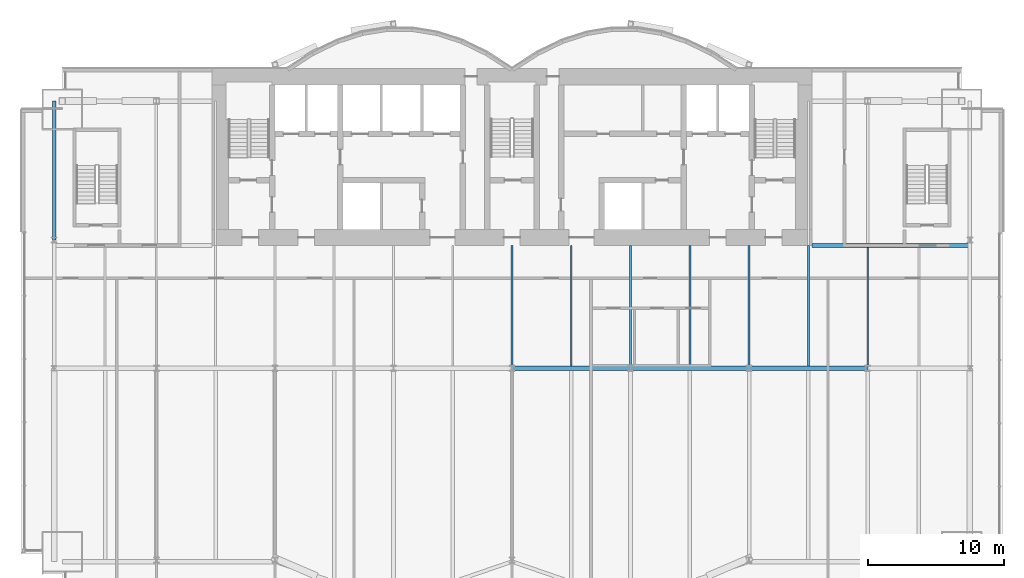
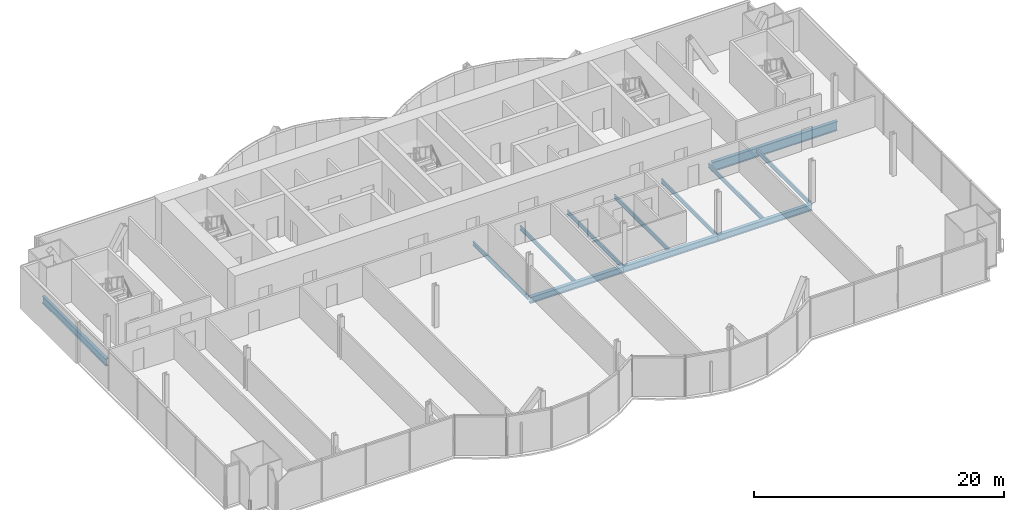
# One storey, part 9 of 21: 12 beams.
"""IFC4 building model written with IfcOpenShell, lengths in metres."""

from ifc_helpers import new_model, si_unit, direction, frame, origin, origin_2d, place, context, subcontext, project, spatial, i_section, extrude, material, material_profile, profile_set, type_object, element, save


model = new_model("IFC4")

# Units and contexts
model_context = context("Model", 3, precision=1e-05, world=origin(), true_north=direction((0.0, 1.0)))
body_context = subcontext(model_context, "Body", "Model", "MODEL_VIEW")
ifc_project = project(units=[si_unit("LENGTHUNIT", "METRE"), si_unit("AREAUNIT", "SQUARE_METRE"), si_unit("VOLUMEUNIT", "CUBIC_METRE"), si_unit("PLANEANGLEUNIT", "RADIAN"), si_unit("MASSUNIT", "GRAM", prefix="KILO")], contexts=[model_context])

# Site, building, storey
site_placement = place(None, origin())
site = spatial("IfcSite", under=ifc_project, at=site_placement, CompositionType="ELEMENT")
building_placement = place(site_placement, origin())
building = spatial("IfcBuilding", under=site, at=building_placement, Name="Bicima Exchange Tower", CompositionType="ELEMENT")
storey_placement = place(building_placement, frame((0.0, 0.0, 98.10009765625)))
storey = spatial("IfcBuildingStorey", under=building, at=storey_placement, Name="L20", CompositionType="ELEMENT", Elevation=98.10009765625)

# Beams
ifc_material = material(Name="Steel ASTM A992 Gr 50", Category="steel")
ifc_material_profile_1 = material_profile(ifc_material, i_section(OverallWidth=0.3046875, OverallDepth=0.911865234375, WebThickness=0.015869140625, FlangeThickness=0.02392578125, at=origin_2d()))
ifc_profile_set_1 = profile_set([ifc_material_profile_1], Name="Steel ASTM A992 Gr 50")
beam_type_1 = type_object("IfcBeamType", Name="Core-line girder W36x150", PredefinedType="BEAM", material=ifc_profile_set_1)
beam_1_placement = place(storey_placement, frame((22.0, -13.0, -0.60595703125), z_axis=(1.0, 0.0, 0.0), x_axis=(0.0, 1.0, 0.0)))
element("IfcBeam", 1, at=beam_1_placement, inside=storey, type_object=beam_type_1, Name="Core-line girder", PredefinedType="BEAM", context=body_context, shape_type="SweptSolid", body=[
    extrude(i_section(OverallWidth=0.3046875, OverallDepth=0.911865234375, WebThickness=0.015869140625, FlangeThickness=0.02392578125, at=origin_2d()), origin(), (0.0, 0.0, 1.0), 11.60009765625),
])
ifc_material_profile_2 = material_profile(ifc_material, i_section(OverallWidth=0.256591796875, OverallDepth=0.693359375, WebThickness=0.014404296875, FlangeThickness=0.023681640625, at=origin_2d()))
ifc_profile_set_2 = profile_set([ifc_material_profile_2], Name="Steel ASTM A992 Gr 50")
beam_type_2 = type_object("IfcBeamType", Name="End girder W27x114", PredefinedType="BEAM", material=ifc_profile_set_2)
beam_2_placement = place(storey_placement, frame((-33.60009765625, -2.39990234375, -0.496826171875), z_axis=(0.0, -1.0, 0.0), x_axis=(1.0, 0.0, 0.0)))
element("IfcBeam", 2, at=beam_2_placement, inside=storey, type_object=beam_type_2, Name="End girder", PredefinedType="BEAM", context=body_context, shape_type="SweptSolid", body=[
    extrude(i_section(OverallWidth=0.256591796875, OverallDepth=0.693359375, WebThickness=0.014404296875, FlangeThickness=0.023681640625, at=origin_2d()), origin(), (0.0, 0.0, 1.0), 10.2001953125),
])
ifc_material_profile_3 = material_profile(ifc_material, i_section(OverallWidth=0.140380859375, OverallDepth=0.40380859375, WebThickness=0.007080078125, FlangeThickness=0.01123046875, at=origin_2d()))
ifc_profile_set_3 = profile_set([ifc_material_profile_3], Name="Steel ASTM A992 Gr 50")
beam_type_3 = type_object("IfcBeamType", Name="Floor beam W16x31", PredefinedType="JOIST", material=ifc_profile_set_3)
for number, where, z_axis, x_axis, name in (
    (3, (0.0, -13.0, -0.35205078125), (0.0, -1.0, 0.0), (1.0, 0.0, 0.0), "Floor beam"),
    (4, (4.35009765625, -13.0, -0.35205078125), (0.0, -1.0, 0.0), (1.0, 0.0, 0.0), "Floor beam"),
    (5, (8.699951171875, -13.0, -0.35205078125), (0.0, -1.0, 0.0), (1.0, 0.0, 0.0), "Floor beam"),
    (6, (13.050048828125, -13.0, -0.35205078125), (0.0, -1.0, 0.0), (1.0, 0.0, 0.0), "Floor beam"),
    (7, (17.39990234375, -13.0, -0.35205078125), (0.0, -1.0, 0.0), (1.0, 0.0, 0.0), "Floor beam"),
    (8, (21.75, -13.0, -0.35205078125), (0.0, -1.0, 0.0), (1.0, 0.0, 0.0), "Floor beam"),
):
    element("IfcBeam", number, at=place(storey_placement, frame(where, z_axis=z_axis, x_axis=x_axis)), inside=storey, type_object=beam_type_3, Name=name, PredefinedType="JOIST", context=body_context, shape_type="SweptSolid", body=[
        extrude(i_section(OverallWidth=0.140380859375, OverallDepth=0.40380859375, WebThickness=0.007080078125, FlangeThickness=0.01123046875, at=origin_2d()), origin(), (0.0, 0.0, 1.0), 8.83740234375),
    ])
beam_3_placement = place(storey_placement, frame((26.10009765625, -13.15234375, -0.35205078125), z_axis=(0.0, -1.0, 0.0), x_axis=(1.0, 0.0, 0.0)))
element("IfcBeam", 9, at=beam_3_placement, inside=storey, type_object=beam_type_3, Name="Floor beam", PredefinedType="JOIST", context=body_context, shape_type="SweptSolid", body=[
    extrude(i_section(OverallWidth=0.140380859375, OverallDepth=0.40380859375, WebThickness=0.007080078125, FlangeThickness=0.01123046875, at=origin_2d()), origin(), (0.0, 0.0, 1.0), 8.68505859375),
])
ifc_material_profile_4 = material_profile(ifc_material, i_section(OverallWidth=0.3251953125, OverallDepth=0.612060546875, WebThickness=0.0126953125, FlangeThickness=0.01904296875, at=origin_2d()))
ifc_profile_set_4 = profile_set([ifc_material_profile_4], Name="Steel ASTM A992 Gr 50")
beam_type_4 = type_object("IfcBeamType", Name="Row girder W24x104", PredefinedType="BEAM", material=ifc_profile_set_4)
for number, where, z_axis, x_axis, name in (
    (10, (0.0, -22.0, -0.456298828125), (1.0, 0.0, 0.0), (0.0, 1.0, 0.0), "Row girder"),
    (11, (8.699951171875, -22.0, -0.456298828125), (1.0, 0.0, 0.0), (0.0, 1.0, 0.0), "Row girder"),
):
    element("IfcBeam", number, at=place(storey_placement, frame(where, z_axis=z_axis, x_axis=x_axis)), inside=storey, type_object=beam_type_4, Name=name, PredefinedType="BEAM", context=body_context, shape_type="SweptSolid", body=[
        extrude(i_section(OverallWidth=0.3251953125, OverallDepth=0.612060546875, WebThickness=0.0126953125, FlangeThickness=0.01904296875, at=origin_2d()), origin(), (0.0, 0.0, 1.0), 8.699951171875),
    ])
beam_4_placement = place(storey_placement, frame((17.39990234375, -22.0, -0.456298828125), z_axis=(1.0, 0.0, 0.0), x_axis=(0.0, 1.0, 0.0)))
element("IfcBeam", 12, at=beam_4_placement, inside=storey, type_object=beam_type_4, Name="Row girder", PredefinedType="BEAM", context=body_context, shape_type="SweptSolid", body=[
    extrude(i_section(OverallWidth=0.3251953125, OverallDepth=0.612060546875, WebThickness=0.0126953125, FlangeThickness=0.01904296875, at=origin_2d()), origin(), (0.0, 0.0, 1.0), 8.7001953125),
])

save(model, "model.ifc")
